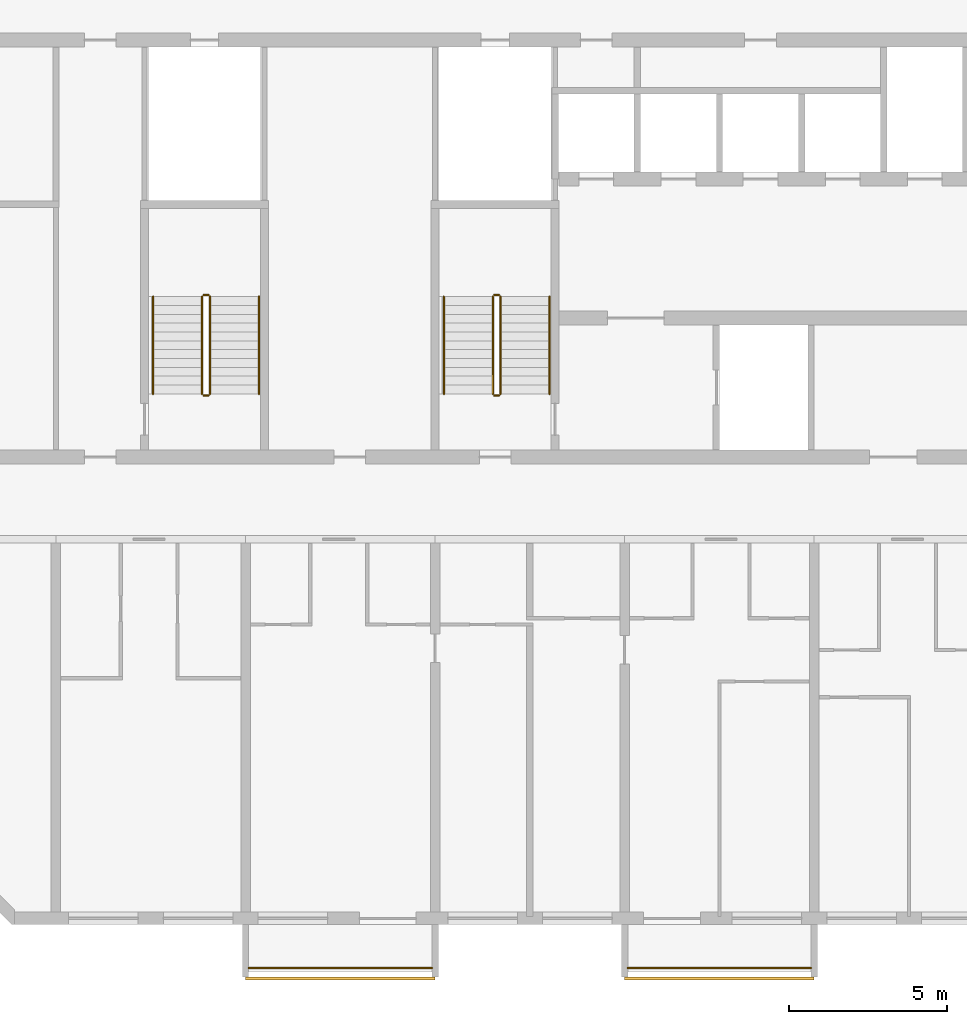
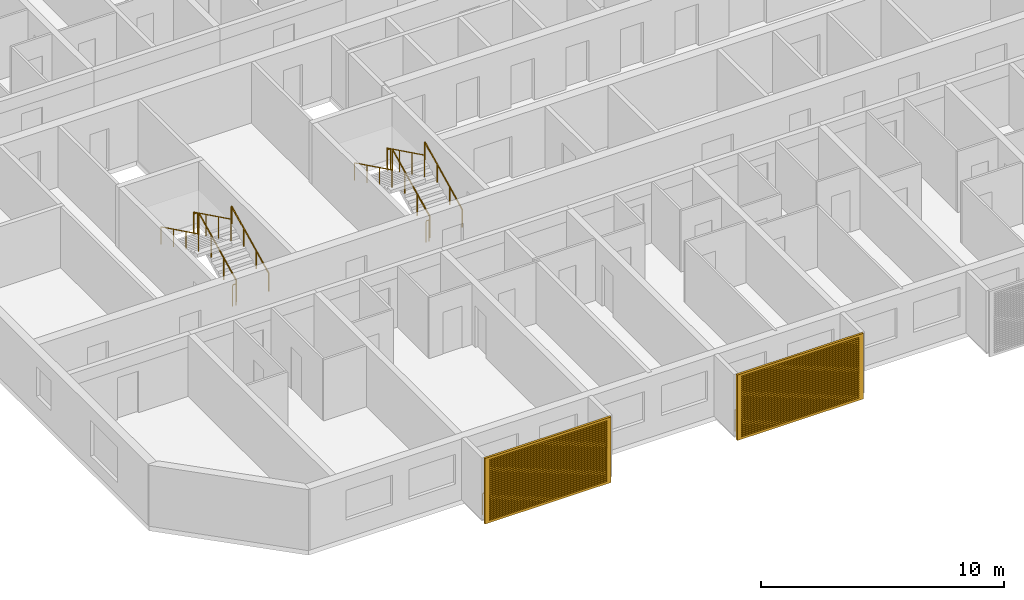
# One storey, part 15 of 33: 14 railings, 2 shading devices.
"""IFC4 building model written with IfcOpenShell, lengths in metres."""

from ifc_helpers import new_model, si_unit, direction, frame, origin, origin_2d, place, context, subcontext, project, spatial, polyline, circle, outline, extrude, source, transform, mapped, material, material_profile, profile_set, type_object, element, save


model = new_model("IFC4")

# Units and contexts
model_context = context("Model", 3, precision=1e-05, world=origin(), true_north=direction((0.0, 1.0)))
body_context = subcontext(model_context, "Body", "Model", "MODEL_VIEW")
ifc_project = project(units=[si_unit("LENGTHUNIT", "METRE"), si_unit("AREAUNIT", "SQUARE_METRE"), si_unit("VOLUMEUNIT", "CUBIC_METRE"), si_unit("PLANEANGLEUNIT", "RADIAN"), si_unit("MASSUNIT", "GRAM", prefix="KILO")], contexts=[model_context])

# Site, building, storey
site_placement = place(None, origin())
site = spatial("IfcSite", under=ifc_project, at=site_placement, CompositionType="ELEMENT")
building_placement = place(site_placement, origin())
building = spatial("IfcBuilding", under=site, at=building_placement, Name="Poui Terraces", CompositionType="ELEMENT")
storey_placement = place(building_placement, frame((0.0, 0.0, 132.300048828125)))
storey = spatial("IfcBuildingStorey", under=building, at=storey_placement, Name="L36", CompositionType="ELEMENT", Elevation=132.300048828125)

# Railings
ifc_material_1 = material(Name="Painted steel fretwork", Category="steel")
railing_type_1 = type_object("IfcRailingType", Name="BALCONY GUARD 1100", PredefinedType="GUARDRAIL", material=ifc_material_1)
for number, where, name in (
    (1, (24.10009765625, -1.570068359375, 0.0), "BALCONY GUARD"),
    (2, (36.10009765625, -1.570068359375, 0.0), "BALCONY GUARD"),
):
    element("IfcRailing", number, at=place(storey_placement, frame(where)), inside=storey, type_object=railing_type_1, Name=name, PredefinedType="GUARDRAIL", context=body_context, shape_type="SweptSolid", body=[
        extrude(circle(Radius=0.02392578125, at=origin_2d()), frame((0.0, 0.0, 1.076171875), z_axis=(1.0, 0.0, 0.0), x_axis=(0.0, 1.0, 0.0)), (0.0, 0.0, 1.0), 5.7998046875),
        extrude(circle(Radius=0.02099609375, at=origin_2d()), origin(), (0.0, 0.0, 1.0), 1.052001953125),
        extrude(circle(Radius=0.02099609375, at=origin_2d()), frame((0.966552734375, 0.0, 0.0)), (0.0, 0.0, 1.0), 1.052001953125),
        extrude(circle(Radius=0.02099609375, at=origin_2d()), frame((1.933349609375, 0.0, 0.0)), (0.0, 0.0, 1.0), 1.052001953125),
        extrude(circle(Radius=0.02099609375, at=origin_2d()), frame((2.89990234375, 0.0, 0.0)), (0.0, 0.0, 1.0), 1.052001953125),
        extrude(circle(Radius=0.02099609375, at=origin_2d()), frame((3.866455078125, 0.0, 0.0)), (0.0, 0.0, 1.0), 1.052001953125),
        extrude(circle(Radius=0.02099609375, at=origin_2d()), frame((4.833251953125, 0.0, 0.0)), (0.0, 0.0, 1.0), 1.052001953125),
        extrude(circle(Radius=0.02099609375, at=origin_2d()), frame((5.7998046875, 0.0, 0.0)), (0.0, 0.0, 1.0), 1.052001953125),
    ])
ifc_material_2 = material(Name="Galvanised steel balustrade", Category="steel")
railing_type_2 = type_object("IfcRailingType", Name="STAIR GUARD 1100", PredefinedType="GUARDRAIL", material=ifc_material_2)
railing_1_placement = place(storey_placement, frame((32.074951171875, 16.60009765625, 0.137451171875)))
element("IfcRailing", 3, at=railing_1_placement, inside=storey, type_object=railing_type_2, Name="L36 ST-CW stair guard 1", PredefinedType="GUARDRAIL", context=body_context, shape_type="SweptSolid", body=[
    extrude(circle(Radius=0.02392578125, at=origin_2d()), frame((0.0, 0.0, 1.076171875), z_axis=(0.0, 0.897606190399, 0.440798283751), x_axis=(-1.0, 0.0, 0.0)), (0.0, 0.0, 1.0), 3.43115234375),
    extrude(circle(Radius=0.02099609375, at=origin_2d()), origin(), (0.0, 0.0, 1.0), 1.052001953125),
    extrude(circle(Radius=0.02099609375, at=origin_2d()), frame((0.0, 1.026611328125, 0.504150390625)), (0.0, 0.0, 1.0), 1.052001953125),
    extrude(circle(Radius=0.02099609375, at=origin_2d()), frame((0.0, 2.05322265625, 1.00830078125)), (0.0, 0.0, 1.0), 1.052001953125),
    extrude(circle(Radius=0.02099609375, at=origin_2d()), frame((0.0, 3.079833984375, 1.512451171875)), (0.0, 0.0, 1.0), 1.052001953125),
])
railing_2_placement = place(storey_placement, frame((32.02490234375, 19.72998046875, 1.64990234375)))
element("IfcRailing", 4, at=railing_2_placement, inside=storey, type_object=railing_type_2, Name="L36 ST-CW stair guard 2", PredefinedType="GUARDRAIL", context=body_context, shape_type="SweptSolid", body=[
    extrude(circle(Radius=0.02392578125, at=origin_2d()), frame((0.0, 0.0, 1.076171875), z_axis=(-1.0, 0.0, 0.0), x_axis=(0.0, -1.0, 0.0)), (0.0, 0.0, 1.0), 0.14990234375),
    extrude(circle(Radius=0.02099609375, at=origin_2d()), origin(), (0.0, 0.0, 1.0), 1.052001953125),
    extrude(circle(Radius=0.02099609375, at=origin_2d()), frame((-0.14990234375, 0.0, 0.0)), (0.0, 0.0, 1.0), 1.052001953125),
])
railing_3_placement = place(storey_placement, frame((31.824951171875, 19.679931640625, 1.787353515625)))
element("IfcRailing", 5, at=railing_3_placement, inside=storey, type_object=railing_type_2, Name="L36 ST-CW stair guard 3", PredefinedType="GUARDRAIL", context=body_context, shape_type="SweptSolid", body=[
    extrude(circle(Radius=0.02392578125, at=origin_2d()), frame((0.0, 0.0, 1.076171875), z_axis=(0.0, -0.897578036475, 0.440855609512), x_axis=(1.0, 0.0, 0.0)), (0.0, 0.0, 1.0), 3.43115234375),
    extrude(circle(Radius=0.02099609375, at=origin_2d()), origin(), (0.0, 0.0, 1.0), 1.052001953125),
    extrude(circle(Radius=0.02099609375, at=origin_2d()), frame((0.0, -1.026611328125, 0.504150390625)), (0.0, 0.0, 1.0), 1.052001953125),
    extrude(circle(Radius=0.02099609375, at=origin_2d()), frame((0.0, -2.05322265625, 1.008544921875)), (0.0, 0.0, 1.0), 1.052001953125),
    extrude(circle(Radius=0.02099609375, at=origin_2d()), frame((0.0, -3.079833984375, 1.5126953125)), (0.0, 0.0, 1.0), 1.052001953125),
])
railing_4_placement = place(storey_placement, frame((32.02490234375, 16.550048828125, 0.0)))
element("IfcRailing", 6, at=railing_4_placement, inside=storey, type_object=railing_type_2, Name="L36 ST-CW stair guard 4", PredefinedType="GUARDRAIL", context=body_context, shape_type="SweptSolid", body=[
    extrude(circle(Radius=0.02392578125, at=origin_2d()), frame((0.0, 0.0, 1.076171875), z_axis=(-1.0, 0.0, 0.0), x_axis=(0.0, -1.0, 0.0)), (0.0, 0.0, 1.0), 0.14990234375),
    extrude(circle(Radius=0.02099609375, at=origin_2d()), origin(), (0.0, 0.0, 1.0), 1.052001953125),
    extrude(circle(Radius=0.02099609375, at=origin_2d()), frame((-0.14990234375, 0.0, 0.0)), (0.0, 0.0, 1.0), 1.052001953125),
])
railing_5_placement = place(storey_placement, frame((22.875, 16.60009765625, 0.137451171875)))
element("IfcRailing", 7, at=railing_5_placement, inside=storey, type_object=railing_type_2, Name="L36 ST-W stair guard 1", PredefinedType="GUARDRAIL", context=body_context, shape_type="SweptSolid", body=[
    extrude(circle(Radius=0.02392578125, at=origin_2d()), frame((0.0, 0.0, 1.076171875), z_axis=(0.0, 0.897606190399, 0.440798283751), x_axis=(-1.0, 0.0, 0.0)), (0.0, 0.0, 1.0), 3.43115234375),
    extrude(circle(Radius=0.02099609375, at=origin_2d()), origin(), (0.0, 0.0, 1.0), 1.052001953125),
    extrude(circle(Radius=0.02099609375, at=origin_2d()), frame((0.0, 1.026611328125, 0.504150390625)), (0.0, 0.0, 1.0), 1.052001953125),
    extrude(circle(Radius=0.02099609375, at=origin_2d()), frame((0.0, 2.05322265625, 1.00830078125)), (0.0, 0.0, 1.0), 1.052001953125),
    extrude(circle(Radius=0.02099609375, at=origin_2d()), frame((0.0, 3.079833984375, 1.512451171875)), (0.0, 0.0, 1.0), 1.052001953125),
])
railing_6_placement = place(storey_placement, frame((22.824951171875, 19.72998046875, 1.64990234375)))
element("IfcRailing", 8, at=railing_6_placement, inside=storey, type_object=railing_type_2, Name="L36 ST-W stair guard 2", PredefinedType="GUARDRAIL", context=body_context, shape_type="SweptSolid", body=[
    extrude(circle(Radius=0.02392578125, at=origin_2d()), frame((0.0, 0.0, 1.076171875), z_axis=(-1.0, 0.0, 0.0), x_axis=(0.0, -1.0, 0.0)), (0.0, 0.0, 1.0), 0.14990234375),
    extrude(circle(Radius=0.02099609375, at=origin_2d()), origin(), (0.0, 0.0, 1.0), 1.052001953125),
    extrude(circle(Radius=0.02099609375, at=origin_2d()), frame((-0.14990234375, 0.0, 0.0)), (0.0, 0.0, 1.0), 1.052001953125),
])
railing_7_placement = place(storey_placement, frame((22.625, 19.679931640625, 1.787353515625)))
element("IfcRailing", 9, at=railing_7_placement, inside=storey, type_object=railing_type_2, Name="L36 ST-W stair guard 3", PredefinedType="GUARDRAIL", context=body_context, shape_type="SweptSolid", body=[
    extrude(circle(Radius=0.02392578125, at=origin_2d()), frame((0.0, 0.0, 1.076171875), z_axis=(0.0, -0.897578036475, 0.440855609512), x_axis=(1.0, 0.0, 0.0)), (0.0, 0.0, 1.0), 3.43115234375),
    extrude(circle(Radius=0.02099609375, at=origin_2d()), origin(), (0.0, 0.0, 1.0), 1.052001953125),
    extrude(circle(Radius=0.02099609375, at=origin_2d()), frame((0.0, -1.026611328125, 0.504150390625)), (0.0, 0.0, 1.0), 1.052001953125),
    extrude(circle(Radius=0.02099609375, at=origin_2d()), frame((0.0, -2.05322265625, 1.008544921875)), (0.0, 0.0, 1.0), 1.052001953125),
    extrude(circle(Radius=0.02099609375, at=origin_2d()), frame((0.0, -3.079833984375, 1.5126953125)), (0.0, 0.0, 1.0), 1.052001953125),
])
railing_8_placement = place(storey_placement, frame((22.824951171875, 16.550048828125, 0.0)))
element("IfcRailing", 10, at=railing_8_placement, inside=storey, type_object=railing_type_2, Name="L36 ST-W stair guard 4", PredefinedType="GUARDRAIL", context=body_context, shape_type="SweptSolid", body=[
    extrude(circle(Radius=0.02392578125, at=origin_2d()), frame((0.0, 0.0, 1.076171875), z_axis=(-1.0, 0.0, 0.0), x_axis=(0.0, -1.0, 0.0)), (0.0, 0.0, 1.0), 0.14990234375),
    extrude(circle(Radius=0.02099609375, at=origin_2d()), origin(), (0.0, 0.0, 1.0), 1.052001953125),
    extrude(circle(Radius=0.02099609375, at=origin_2d()), frame((-0.14990234375, 0.0, 0.0)), (0.0, 0.0, 1.0), 1.052001953125),
])
ifc_material_3 = material(Name="Stainless steel handrail", Category="steel")
railing_type_3 = type_object("IfcRailingType", Name="STAIR HANDRAIL 900", PredefinedType="HANDRAIL", material=ifc_material_3)
railing_9_placement = place(storey_placement, frame((33.625, 16.60009765625, 0.137451171875)))
element("IfcRailing", 11, at=railing_9_placement, inside=storey, type_object=railing_type_3, Name="L36 ST-CW stair handrail 1", PredefinedType="HANDRAIL", context=body_context, shape_type="SweptSolid", body=[
    extrude(circle(Radius=0.02392578125, at=origin_2d()), frame((0.0, 0.0, 0.8759765625), z_axis=(0.0, 0.897606190399, 0.440798283751), x_axis=(-1.0, 0.0, 0.0)), (0.0, 0.0, 1.0), 3.43115234375),
    extrude(circle(Radius=0.02099609375, at=origin_2d()), origin(), (0.0, 0.0, 1.0), 0.851806640625),
    extrude(circle(Radius=0.02099609375, at=origin_2d()), frame((0.0, 1.026611328125, 0.504150390625)), (0.0, 0.0, 1.0), 0.851806640625),
    extrude(circle(Radius=0.02099609375, at=origin_2d()), frame((0.0, 2.05322265625, 1.00830078125)), (0.0, 0.0, 1.0), 0.851806640625),
    extrude(circle(Radius=0.02099609375, at=origin_2d()), frame((0.0, 3.079833984375, 1.512451171875)), (0.0, 0.0, 1.0), 0.851806640625),
])
railing_10_placement = place(storey_placement, frame((30.27490234375, 19.679931640625, 1.787353515625)))
element("IfcRailing", 12, at=railing_10_placement, inside=storey, type_object=railing_type_3, Name="L36 ST-CW stair handrail 2", PredefinedType="HANDRAIL", context=body_context, shape_type="SweptSolid", body=[
    extrude(circle(Radius=0.02392578125, at=origin_2d()), frame((0.0, 0.0, 0.8759765625), z_axis=(0.0, -0.897578036475, 0.440855609512), x_axis=(1.0, 0.0, 0.0)), (0.0, 0.0, 1.0), 3.43115234375),
    extrude(circle(Radius=0.02099609375, at=origin_2d()), origin(), (0.0, 0.0, 1.0), 0.851806640625),
    extrude(circle(Radius=0.02099609375, at=origin_2d()), frame((0.0, -1.026611328125, 0.504150390625)), (0.0, 0.0, 1.0), 0.851806640625),
    extrude(circle(Radius=0.02099609375, at=origin_2d()), frame((0.0, -2.05322265625, 1.008544921875)), (0.0, 0.0, 1.0), 0.851806640625),
    extrude(circle(Radius=0.02099609375, at=origin_2d()), frame((0.0, -3.079833984375, 1.5126953125)), (0.0, 0.0, 1.0), 0.851806640625),
])
railing_11_placement = place(storey_placement, frame((24.425048828125, 16.60009765625, 0.137451171875)))
element("IfcRailing", 13, at=railing_11_placement, inside=storey, type_object=railing_type_3, Name="L36 ST-W stair handrail 1", PredefinedType="HANDRAIL", context=body_context, shape_type="SweptSolid", body=[
    extrude(circle(Radius=0.02392578125, at=origin_2d()), frame((0.0, 0.0, 0.8759765625), z_axis=(0.0, 0.897606190399, 0.440798283751), x_axis=(-1.0, 0.0, 0.0)), (0.0, 0.0, 1.0), 3.43115234375),
    extrude(circle(Radius=0.02099609375, at=origin_2d()), origin(), (0.0, 0.0, 1.0), 0.851806640625),
    extrude(circle(Radius=0.02099609375, at=origin_2d()), frame((0.0, 1.026611328125, 0.504150390625)), (0.0, 0.0, 1.0), 0.851806640625),
    extrude(circle(Radius=0.02099609375, at=origin_2d()), frame((0.0, 2.05322265625, 1.00830078125)), (0.0, 0.0, 1.0), 0.851806640625),
    extrude(circle(Radius=0.02099609375, at=origin_2d()), frame((0.0, 3.079833984375, 1.512451171875)), (0.0, 0.0, 1.0), 0.851806640625),
])
railing_12_placement = place(storey_placement, frame((21.074951171875, 19.679931640625, 1.787353515625)))
element("IfcRailing", 14, at=railing_12_placement, inside=storey, type_object=railing_type_3, Name="L36 ST-W stair handrail 2", PredefinedType="HANDRAIL", context=body_context, shape_type="SweptSolid", body=[
    extrude(circle(Radius=0.02392578125, at=origin_2d()), frame((0.0, 0.0, 0.8759765625), z_axis=(0.0, -0.897578036475, 0.440855609512), x_axis=(1.0, 0.0, 0.0)), (0.0, 0.0, 1.0), 3.43115234375),
    extrude(circle(Radius=0.02099609375, at=origin_2d()), origin(), (0.0, 0.0, 1.0), 0.851806640625),
    extrude(circle(Radius=0.02099609375, at=origin_2d()), frame((0.0, -1.026611328125, 0.504150390625)), (0.0, 0.0, 1.0), 0.851806640625),
    extrude(circle(Radius=0.02099609375, at=origin_2d()), frame((0.0, -2.05322265625, 1.008544921875)), (0.0, 0.0, 1.0), 0.851806640625),
    extrude(circle(Radius=0.02099609375, at=origin_2d()), frame((0.0, -3.079833984375, 1.5126953125)), (0.0, 0.0, 1.0), 0.851806640625),
])

# Shading devices
ifc_material_4 = material(Name="Aluminium louvre", Category="aluminium")
ifc_material_profile = material_profile(ifc_material_4, outline(polyline([(-3.0, -1.64990234375), (3.0, -1.64990234375), (3.0, 1.64990234375), (-3.0, 1.64990234375), (-3.0, -1.64990234375)]), holes=[polyline([(-2.800048828125, -1.530029296875), (2.800048828125, -1.530029296875), (2.800048828125, -1.469970703125), (-2.800048828125, -1.469970703125), (-2.800048828125, -1.530029296875)]), polyline([(-2.800048828125, -1.429931640625), (2.800048828125, -1.429931640625), (2.800048828125, -1.3701171875), (-2.800048828125, -1.3701171875), (-2.800048828125, -1.429931640625)]), polyline([(-2.800048828125, -1.330078125), (2.800048828125, -1.330078125), (2.800048828125, -1.27001953125), (-2.800048828125, -1.27001953125), (-2.800048828125, -1.330078125)]), polyline([(-2.800048828125, -1.22998046875), (2.800048828125, -1.22998046875), (2.800048828125, -1.169921875), (-2.800048828125, -1.169921875), (-2.800048828125, -1.22998046875)]), polyline([(-2.800048828125, -1.1298828125), (2.800048828125, -1.1298828125), (2.800048828125, -1.070068359375), (-2.800048828125, -1.070068359375), (-2.800048828125, -1.1298828125)]), polyline([(-2.800048828125, -1.030029296875), (2.800048828125, -1.030029296875), (2.800048828125, -0.969970703125), (-2.800048828125, -0.969970703125), (-2.800048828125, -1.030029296875)]), polyline([(-2.800048828125, -0.929931640625), (2.800048828125, -0.929931640625), (2.800048828125, -0.8701171875), (-2.800048828125, -0.8701171875), (-2.800048828125, -0.929931640625)]), polyline([(-2.800048828125, -0.830078125), (2.800048828125, -0.830078125), (2.800048828125, -0.77001953125), (-2.800048828125, -0.77001953125), (-2.800048828125, -0.830078125)]), polyline([(-2.800048828125, -0.72998046875), (2.800048828125, -0.72998046875), (2.800048828125, -0.669921875), (-2.800048828125, -0.669921875), (-2.800048828125, -0.72998046875)]), polyline([(-2.800048828125, -0.6298828125), (2.800048828125, -0.6298828125), (2.800048828125, -0.570068359375), (-2.800048828125, -0.570068359375), (-2.800048828125, -0.6298828125)]), polyline([(-2.800048828125, -0.530029296875), (2.800048828125, -0.530029296875), (2.800048828125, -0.469970703125), (-2.800048828125, -0.469970703125), (-2.800048828125, -0.530029296875)]), polyline([(-2.800048828125, -0.429931640625), (2.800048828125, -0.429931640625), (2.800048828125, -0.3701171875), (-2.800048828125, -0.3701171875), (-2.800048828125, -0.429931640625)]), polyline([(-2.800048828125, -0.330078125), (2.800048828125, -0.330078125), (2.800048828125, -0.27001953125), (-2.800048828125, -0.27001953125), (-2.800048828125, -0.330078125)]), polyline([(-2.800048828125, -0.22998046875), (2.800048828125, -0.22998046875), (2.800048828125, -0.169921875), (-2.800048828125, -0.169921875), (-2.800048828125, -0.22998046875)]), polyline([(-2.800048828125, -0.1298828125), (2.800048828125, -0.1298828125), (2.800048828125, -0.070068359375), (-2.800048828125, -0.070068359375), (-2.800048828125, -0.1298828125)]), polyline([(-2.800048828125, -0.030029296875), (2.800048828125, -0.030029296875), (2.800048828125, 0.030029296875), (-2.800048828125, 0.030029296875), (-2.800048828125, -0.030029296875)]), polyline([(-2.800048828125, 0.070068359375), (2.800048828125, 0.070068359375), (2.800048828125, 0.1298828125), (-2.800048828125, 0.1298828125), (-2.800048828125, 0.070068359375)]), polyline([(-2.800048828125, 0.169921875), (2.800048828125, 0.169921875), (2.800048828125, 0.22998046875), (-2.800048828125, 0.22998046875), (-2.800048828125, 0.169921875)]), polyline([(-2.800048828125, 0.27001953125), (2.800048828125, 0.27001953125), (2.800048828125, 0.330078125), (-2.800048828125, 0.330078125), (-2.800048828125, 0.27001953125)]), polyline([(-2.800048828125, 0.3701171875), (2.800048828125, 0.3701171875), (2.800048828125, 0.429931640625), (-2.800048828125, 0.429931640625), (-2.800048828125, 0.3701171875)]), polyline([(-2.800048828125, 0.469970703125), (2.800048828125, 0.469970703125), (2.800048828125, 0.530029296875), (-2.800048828125, 0.530029296875), (-2.800048828125, 0.469970703125)]), polyline([(-2.800048828125, 0.570068359375), (2.800048828125, 0.570068359375), (2.800048828125, 0.6298828125), (-2.800048828125, 0.6298828125), (-2.800048828125, 0.570068359375)]), polyline([(-2.800048828125, 0.669921875), (2.800048828125, 0.669921875), (2.800048828125, 0.72998046875), (-2.800048828125, 0.72998046875), (-2.800048828125, 0.669921875)]), polyline([(-2.800048828125, 0.77001953125), (2.800048828125, 0.77001953125), (2.800048828125, 0.830078125), (-2.800048828125, 0.830078125), (-2.800048828125, 0.77001953125)]), polyline([(-2.800048828125, 0.8701171875), (2.800048828125, 0.8701171875), (2.800048828125, 0.929931640625), (-2.800048828125, 0.929931640625), (-2.800048828125, 0.8701171875)]), polyline([(-2.800048828125, 0.969970703125), (2.800048828125, 0.969970703125), (2.800048828125, 1.030029296875), (-2.800048828125, 1.030029296875), (-2.800048828125, 0.969970703125)]), polyline([(-2.800048828125, 1.070068359375), (2.800048828125, 1.070068359375), (2.800048828125, 1.1298828125), (-2.800048828125, 1.1298828125), (-2.800048828125, 1.070068359375)]), polyline([(-2.800048828125, 1.169921875), (2.800048828125, 1.169921875), (2.800048828125, 1.22998046875), (-2.800048828125, 1.22998046875), (-2.800048828125, 1.169921875)]), polyline([(-2.800048828125, 1.27001953125), (2.800048828125, 1.27001953125), (2.800048828125, 1.330078125), (-2.800048828125, 1.330078125), (-2.800048828125, 1.27001953125)]), polyline([(-2.800048828125, 1.3701171875), (2.800048828125, 1.3701171875), (2.800048828125, 1.429931640625), (-2.800048828125, 1.429931640625), (-2.800048828125, 1.3701171875)]), polyline([(-2.800048828125, 1.469970703125), (2.800048828125, 1.469970703125), (2.800048828125, 1.530029296875), (-2.800048828125, 1.530029296875), (-2.800048828125, 1.469970703125)])]), Name="JALOUSIE LOUVRE SHUTTER 6000X3300")
ifc_profile_set = profile_set([ifc_material_profile], Name="Aluminium louvre")
shading_device_type = type_object("IfcShadingDeviceType", Name="JALOUSIE LOUVRE SHUTTER 6000X3300", PredefinedType="JALOUSIE", material=ifc_profile_set)
shared_shape = source(origin(), body_context, "Body", "SweptSolid", [
    extrude(outline(polyline([(-3.0, -1.64990234375), (3.0, -1.64990234375), (3.0, 1.64990234375), (-3.0, 1.64990234375), (-3.0, -1.64990234375)]), holes=[polyline([(-2.800048828125, -1.530029296875), (2.800048828125, -1.530029296875), (2.800048828125, -1.469970703125), (-2.800048828125, -1.469970703125), (-2.800048828125, -1.530029296875)]), polyline([(-2.800048828125, -1.429931640625), (2.800048828125, -1.429931640625), (2.800048828125, -1.3701171875), (-2.800048828125, -1.3701171875), (-2.800048828125, -1.429931640625)]), polyline([(-2.800048828125, -1.330078125), (2.800048828125, -1.330078125), (2.800048828125, -1.27001953125), (-2.800048828125, -1.27001953125), (-2.800048828125, -1.330078125)]), polyline([(-2.800048828125, -1.22998046875), (2.800048828125, -1.22998046875), (2.800048828125, -1.169921875), (-2.800048828125, -1.169921875), (-2.800048828125, -1.22998046875)]), polyline([(-2.800048828125, -1.1298828125), (2.800048828125, -1.1298828125), (2.800048828125, -1.070068359375), (-2.800048828125, -1.070068359375), (-2.800048828125, -1.1298828125)]), polyline([(-2.800048828125, -1.030029296875), (2.800048828125, -1.030029296875), (2.800048828125, -0.969970703125), (-2.800048828125, -0.969970703125), (-2.800048828125, -1.030029296875)]), polyline([(-2.800048828125, -0.929931640625), (2.800048828125, -0.929931640625), (2.800048828125, -0.8701171875), (-2.800048828125, -0.8701171875), (-2.800048828125, -0.929931640625)]), polyline([(-2.800048828125, -0.830078125), (2.800048828125, -0.830078125), (2.800048828125, -0.77001953125), (-2.800048828125, -0.77001953125), (-2.800048828125, -0.830078125)]), polyline([(-2.800048828125, -0.72998046875), (2.800048828125, -0.72998046875), (2.800048828125, -0.669921875), (-2.800048828125, -0.669921875), (-2.800048828125, -0.72998046875)]), polyline([(-2.800048828125, -0.6298828125), (2.800048828125, -0.6298828125), (2.800048828125, -0.570068359375), (-2.800048828125, -0.570068359375), (-2.800048828125, -0.6298828125)]), polyline([(-2.800048828125, -0.530029296875), (2.800048828125, -0.530029296875), (2.800048828125, -0.469970703125), (-2.800048828125, -0.469970703125), (-2.800048828125, -0.530029296875)]), polyline([(-2.800048828125, -0.429931640625), (2.800048828125, -0.429931640625), (2.800048828125, -0.3701171875), (-2.800048828125, -0.3701171875), (-2.800048828125, -0.429931640625)]), polyline([(-2.800048828125, -0.330078125), (2.800048828125, -0.330078125), (2.800048828125, -0.27001953125), (-2.800048828125, -0.27001953125), (-2.800048828125, -0.330078125)]), polyline([(-2.800048828125, -0.22998046875), (2.800048828125, -0.22998046875), (2.800048828125, -0.169921875), (-2.800048828125, -0.169921875), (-2.800048828125, -0.22998046875)]), polyline([(-2.800048828125, -0.1298828125), (2.800048828125, -0.1298828125), (2.800048828125, -0.070068359375), (-2.800048828125, -0.070068359375), (-2.800048828125, -0.1298828125)]), polyline([(-2.800048828125, -0.030029296875), (2.800048828125, -0.030029296875), (2.800048828125, 0.030029296875), (-2.800048828125, 0.030029296875), (-2.800048828125, -0.030029296875)]), polyline([(-2.800048828125, 0.070068359375), (2.800048828125, 0.070068359375), (2.800048828125, 0.1298828125), (-2.800048828125, 0.1298828125), (-2.800048828125, 0.070068359375)]), polyline([(-2.800048828125, 0.169921875), (2.800048828125, 0.169921875), (2.800048828125, 0.22998046875), (-2.800048828125, 0.22998046875), (-2.800048828125, 0.169921875)]), polyline([(-2.800048828125, 0.27001953125), (2.800048828125, 0.27001953125), (2.800048828125, 0.330078125), (-2.800048828125, 0.330078125), (-2.800048828125, 0.27001953125)]), polyline([(-2.800048828125, 0.3701171875), (2.800048828125, 0.3701171875), (2.800048828125, 0.429931640625), (-2.800048828125, 0.429931640625), (-2.800048828125, 0.3701171875)]), polyline([(-2.800048828125, 0.469970703125), (2.800048828125, 0.469970703125), (2.800048828125, 0.530029296875), (-2.800048828125, 0.530029296875), (-2.800048828125, 0.469970703125)]), polyline([(-2.800048828125, 0.570068359375), (2.800048828125, 0.570068359375), (2.800048828125, 0.6298828125), (-2.800048828125, 0.6298828125), (-2.800048828125, 0.570068359375)]), polyline([(-2.800048828125, 0.669921875), (2.800048828125, 0.669921875), (2.800048828125, 0.72998046875), (-2.800048828125, 0.72998046875), (-2.800048828125, 0.669921875)]), polyline([(-2.800048828125, 0.77001953125), (2.800048828125, 0.77001953125), (2.800048828125, 0.830078125), (-2.800048828125, 0.830078125), (-2.800048828125, 0.77001953125)]), polyline([(-2.800048828125, 0.8701171875), (2.800048828125, 0.8701171875), (2.800048828125, 0.929931640625), (-2.800048828125, 0.929931640625), (-2.800048828125, 0.8701171875)]), polyline([(-2.800048828125, 0.969970703125), (2.800048828125, 0.969970703125), (2.800048828125, 1.030029296875), (-2.800048828125, 1.030029296875), (-2.800048828125, 0.969970703125)]), polyline([(-2.800048828125, 1.070068359375), (2.800048828125, 1.070068359375), (2.800048828125, 1.1298828125), (-2.800048828125, 1.1298828125), (-2.800048828125, 1.070068359375)]), polyline([(-2.800048828125, 1.169921875), (2.800048828125, 1.169921875), (2.800048828125, 1.22998046875), (-2.800048828125, 1.22998046875), (-2.800048828125, 1.169921875)]), polyline([(-2.800048828125, 1.27001953125), (2.800048828125, 1.27001953125), (2.800048828125, 1.330078125), (-2.800048828125, 1.330078125), (-2.800048828125, 1.27001953125)]), polyline([(-2.800048828125, 1.3701171875), (2.800048828125, 1.3701171875), (2.800048828125, 1.429931640625), (-2.800048828125, 1.429931640625), (-2.800048828125, 1.3701171875)]), polyline([(-2.800048828125, 1.469970703125), (2.800048828125, 1.469970703125), (2.800048828125, 1.530029296875), (-2.800048828125, 1.530029296875), (-2.800048828125, 1.469970703125)])]), origin(), (0.0, 0.0, 1.0), 0.099853515625),
])
for number, where, z_axis, x_axis, name in (
    (15, (27.0, -1.85009765625, 1.449951171875), (0.0, -1.0, 0.0), (1.0, 0.0, 0.0), "JALOUSIE LOUVRE SHUTTER"),
    (16, (39.0, -1.85009765625, 1.449951171875), (0.0, -1.0, 0.0), (1.0, 0.0, 0.0), "JALOUSIE LOUVRE SHUTTER"),
):
    element("IfcShadingDevice", number, at=place(storey_placement, frame(where, z_axis=z_axis, x_axis=x_axis)), inside=storey, type_object=shading_device_type, Name=name, PredefinedType="JALOUSIE", context=body_context, shape_type="MappedRepresentation", body=[
        mapped(shared_shape, transform((0.0, 0.0, 0.0))),
    ])

save(model, "model.ifc")
